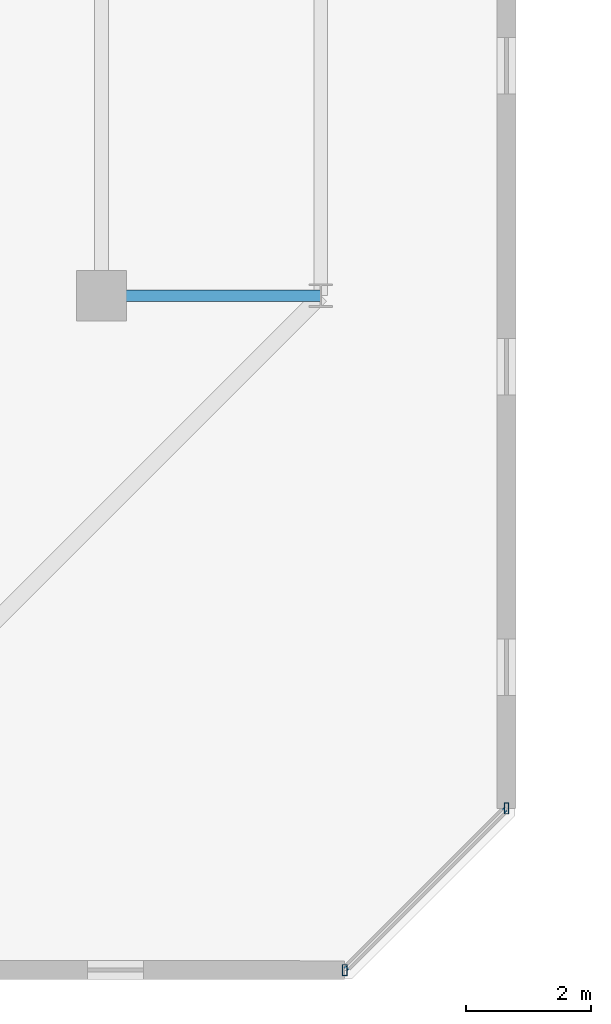
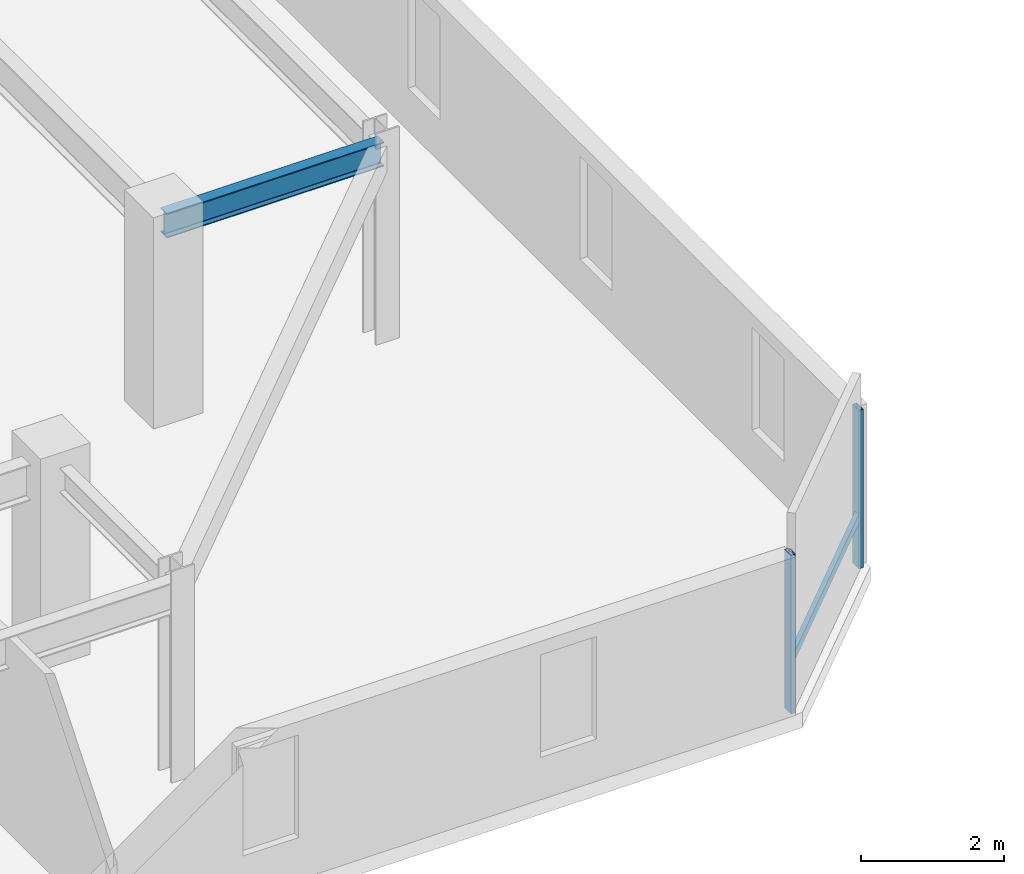
# One storey, part 5 of 31: 3 members, 1 beam, 1 element without a shape of its own.
"""IFC4 building model written with IfcOpenShell, lengths in metres."""

from ifc_helpers import new_model, si_unit, direction, frame, origin, origin_2d, place, context, subcontext, project, spatial, hollow_rectangle, i_section, extrude, material, material_profile, profile_set, type_object, element, aggregate, save


model = new_model("IFC4")

# Units and contexts
model_context = context("Model", 3, precision=1e-05, world=origin(), true_north=direction((0.0, 1.0)))
body_context = subcontext(model_context, "Body", "Model", "MODEL_VIEW")
ifc_project = project(units=[si_unit("LENGTHUNIT", "METRE"), si_unit("AREAUNIT", "SQUARE_METRE"), si_unit("VOLUMEUNIT", "CUBIC_METRE"), si_unit("PLANEANGLEUNIT", "RADIAN"), si_unit("MASSUNIT", "GRAM", prefix="KILO")], contexts=[model_context])

# Site, building, storey
site_placement = place(None, origin())
site = spatial("IfcSite", under=ifc_project, at=site_placement, CompositionType="ELEMENT")
building_placement = place(site_placement, origin())
building = spatial("IfcBuilding", under=site, at=building_placement, Name="Thornwick Lancets Civic Towers", CompositionType="ELEMENT")
storey_placement = place(building_placement, frame((0.0, 0.0, 254.699951171875)))
storey = spatial("IfcBuildingStorey", under=building, at=storey_placement, Name="L68", CompositionType="ELEMENT", Elevation=254.699951171875)

# Beam
ifc_material_1 = material(Name="Steel S355JR", Category="steel")
ifc_material_profile_1 = material_profile(ifc_material_1, i_section(OverallWidth=0.179443359375, OverallDepth=0.412841796875, WebThickness=0.009521484375, FlangeThickness=0.01611328125, FilletRadius=0.01025390625, at=origin_2d()), Name="UKB 406x178x74")
ifc_profile_set_1 = profile_set([ifc_material_profile_1], Name="Steel S355JR")
beam_type = type_object("IfcBeamType", Name="BM_JOIST_406_74", PredefinedType="JOIST", material=ifc_profile_set_1)
beam_placement = place(storey_placement, frame((42.800048828125, 14.0, 3.133544921875), z_axis=(1.0, 0.0, 0.0), x_axis=(0.0, 1.0, 0.0)))
element("IfcBeam", 1, at=beam_placement, inside=storey, type_object=beam_type, Name="BM-RAD-L68-A04", PredefinedType="JOIST", context=body_context, shape_type="SweptSolid", body=[
    extrude(i_section(OverallWidth=0.179443359375, OverallDepth=0.412841796875, WebThickness=0.009521484375, FlangeThickness=0.01611328125, FilletRadius=0.01025390625, at=origin_2d()), origin(), (0.0, 0.0, 1.0), 3.5),
])

# Curtain wall, members
ifc_material_2 = material(Name="High-zone chamfered-corner unitised glass curtain wall", Category="glass")
curtain_wall_type = type_object("IfcCurtainWallType", Name="CW_SYS_05", PredefinedType="NOTDEFINED", material=ifc_material_2)
curtain_wall_placement = place(storey_placement, origin())
curtain_wall = element("IfcCurtainWall", 2, at=curtain_wall_placement, inside=storey, type_object=curtain_wall_type, Name="L68 Curtain Wall CW-L68-A-E1", PredefinedType="NOTDEFINED")
ifc_material_3 = material(Name="Thermally broken bronze aluminium S355", Category="steel")
ifc_material_profile_2 = material_profile(ifc_material_3, hollow_rectangle(XDim=0.074951171875, YDim=0.179931640625, WallThickness=0.006103515625, at=origin_2d()), Name="RHS 180x75x6")
ifc_profile_set_2 = profile_set([ifc_material_profile_2], Name="Thermally broken bronze aluminium S355")
member_type_1 = type_object("IfcMemberType", Name="CW_MUL_180", PredefinedType="MULLION", material=ifc_profile_set_2)
member_1_placement = place(storey_placement, frame((46.681396484375, 3.2353515625, 0.0), z_axis=(0.0, 0.0, 1.0), x_axis=(1.0, 0.0, 0.0)))
member_1 = element("IfcMember", 3, at=member_1_placement, type_object=member_type_1, Name="CW-L68-A-E1 Mullion 0", PredefinedType="MULLION", context=body_context, shape_type="SweptSolid", body=[
    extrude(hollow_rectangle(XDim=0.074951171875, YDim=0.179931640625, WallThickness=0.006103515625, at=origin_2d()), origin(), (0.0, 0.0, 1.0), 2.699951171875),
])
member_2_placement = place(storey_placement, frame((49.2646484375, 5.818603515625, 0.0), z_axis=(0.0, 0.0, 1.0), x_axis=(1.0, 0.0, 0.0)))
member_2 = element("IfcMember", 4, at=member_2_placement, type_object=member_type_1, Name="CW-L68-A-E1 Mullion 1", PredefinedType="MULLION", context=body_context, shape_type="SweptSolid", body=[
    extrude(hollow_rectangle(XDim=0.074951171875, YDim=0.179931640625, WallThickness=0.006103515625, at=origin_2d()), origin(), (0.0, 0.0, 1.0), 2.699951171875),
])
ifc_material_profile_3 = material_profile(ifc_material_3, hollow_rectangle(XDim=0.074951171875, YDim=0.14990234375, WallThickness=0.0048828125, at=origin_2d()), Name="RHS 150x75x5")
ifc_profile_set_3 = profile_set([ifc_material_profile_3], Name="Thermally broken bronze aluminium S355")
member_type_2 = type_object("IfcMemberType", Name="CW_TRN_150", PredefinedType="USERDEFINED", material=ifc_profile_set_3)
member_3_placement = place(storey_placement, frame((46.695556640625, 3.24951171875, 0.85009765625), z_axis=(0.707106781187, 0.707106781187, 0.0), x_axis=(-0.707106781187, 0.707106781187, 0.0)))
member_3 = element("IfcMember", 5, at=member_3_placement, type_object=member_type_2, Name="CW-L68-A-E1 Transom 0", ObjectType="TRANSOM", PredefinedType="USERDEFINED", context=body_context, shape_type="SweptSolid", body=[
    extrude(hollow_rectangle(XDim=0.074951171875, YDim=0.14990234375, WallThickness=0.0048828125, at=origin_2d()), origin(), (0.0, 0.0, 1.0), 3.61328125),
])
aggregate(curtain_wall, [member_1, member_2, member_3])

save(model, "model.ifc")
